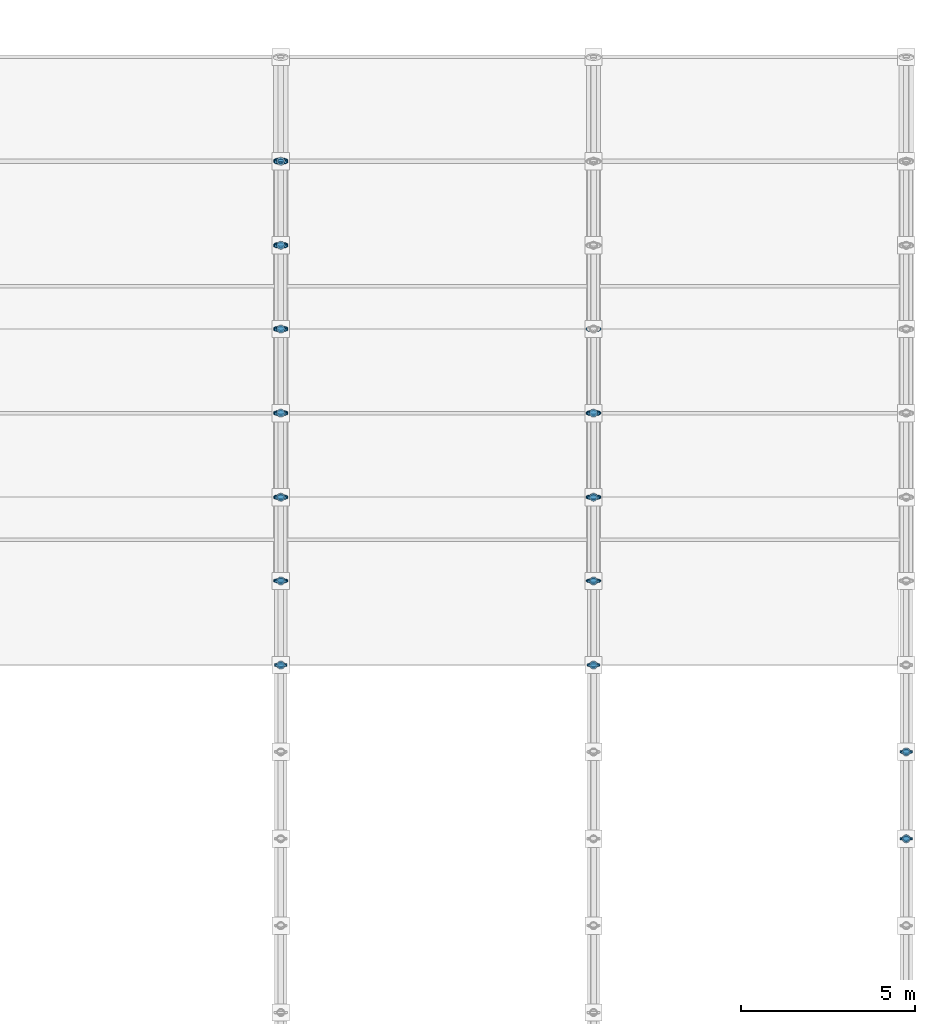
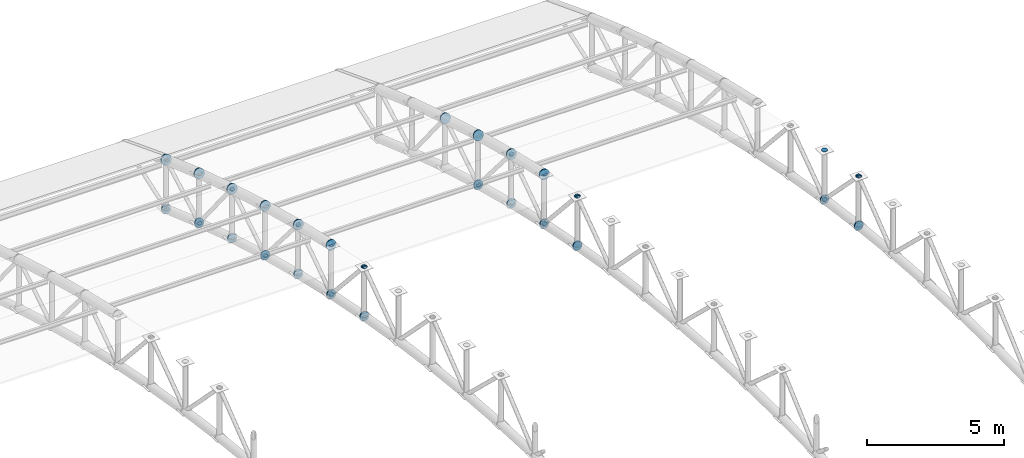
# One storey, part 164 of 195: 94 discrete accessories.
"""IFC4 building model written with IfcOpenShell, lengths in metres."""

import ifcopenshell
import ifcopenshell.guid

model = None  # the IFC model being written
_history = None  # IfcOwnerHistory: only IFC2X3 demands one
_inside = {}  # id of a spatial element -> (the spatial element, [elements in it])
_under = {}  # id of a project, library or spatial element -> (it, [spatial elements below it])
_declared = {}  # id of a project -> (the project, [libraries it declares])
_typed = {}  # id of a type object -> (the type object, [elements of that type])
_made_of = {}  # id of a material, layer set ... -> (it, [elements and type objects made of it])


def new_model(schema):
    """Start an empty IFC model of exactly this schema.

    Asked for "IFC4X3", IfcOpenShell would pick the latest addendum, in which some entities
    have other attributes; the version numbers below select the first issue.
    IFC2X3 requires an IfcOwnerHistory on every rooted entity: one is made here for all.
    """
    global model, _history
    if schema == "IFC4X3":
        model = ifcopenshell.file(schema_version=(4, 3, 0, 0))
    else:
        model = ifcopenshell.file(schema=schema)
    _inside.clear()
    _under.clear()
    _declared.clear()
    _typed.clear()
    _made_of.clear()
    _history = None
    if model.schema == "IFC2X3":
        org = make("IfcOrganization", Name="unknown")
        user = make(
            "IfcPersonAndOrganization",
            ThePerson=make("IfcPerson", FamilyName="unknown"),
            TheOrganization=org,
        )
        app = make(
            "IfcApplication",
            ApplicationDeveloper=org,
            Version="unknown",
            ApplicationFullName="unknown",
            ApplicationIdentifier="unknown",
        )
        _history = make(
            "IfcOwnerHistory",
            OwningUser=user,
            OwningApplication=app,
            ChangeAction="ADDED",
            CreationDate=0,
        )
    return model


def make(cls, **values):
    """One entity of the class cls with the attributes given. An attribute that is None is left unset."""
    return model.create_entity(
        cls, **{name: value for name, value in values.items() if value is not None}
    )


def rooted(cls, **values):
    """An entity with a GlobalId (a new one), such as an element, a storey or a relation."""
    return make(cls, GlobalId=ifcopenshell.guid.new(), OwnerHistory=_history, **values)


def si_unit(unit_type, name, prefix=None):
    """IfcSIUnit, for example si_unit("LENGTHUNIT", "METRE", prefix="MILLI")."""
    return make("IfcSIUnit", UnitType=unit_type, Prefix=prefix, Name=name)


def assignment(units):
    """IfcUnitAssignment: the units of a project."""
    return None if units is None else make("IfcUnitAssignment", Units=units)


def point(xyz):
    """IfcCartesianPoint."""
    return None if xyz is None else make("IfcCartesianPoint", Coordinates=xyz)


def direction(xyz):
    """IfcDirection."""
    return None if xyz is None else make("IfcDirection", DirectionRatios=xyz)


def frame(location, z_axis=None, x_axis=None):
    """IfcAxis2Placement3D, a coordinate frame: its origin and axes. An axis left out is left unset."""
    return make(
        "IfcAxis2Placement3D",
        Location=point(location),
        Axis=direction(z_axis),
        RefDirection=direction(x_axis),
    )


def frame_2d(location, x_axis=None):
    """IfcAxis2Placement2D, a coordinate frame in the plane: its origin and x axis."""
    return make(
        "IfcAxis2Placement2D", Location=point(location), RefDirection=direction(x_axis)
    )


def origin():
    """The frame at (0, 0, 0) with its axes left unset."""
    return frame((0.0, 0.0, 0.0))


def origin_2d():
    """The frame at (0, 0) in the plane with its x axis left unset."""
    return frame_2d((0.0, 0.0))


def place(relative_to, where):
    """IfcLocalPlacement: puts the frame where relative to a parent placement (None: the world)."""
    return make(
        "IfcLocalPlacement", PlacementRelTo=relative_to, RelativePlacement=where
    )


def context(
    kind, dimensions, precision=None, world=None, true_north=None, identifier=None
):
    """IfcGeometricRepresentationContext, for example the 3D "Model" context."""
    return make(
        "IfcGeometricRepresentationContext",
        ContextIdentifier=identifier,
        ContextType=kind,
        CoordinateSpaceDimension=dimensions,
        Precision=precision,
        WorldCoordinateSystem=world,
        TrueNorth=true_north,
    )


def subcontext(parent, identifier, kind, view, scale=None):
    """IfcGeometricRepresentationSubContext, for example "Body" below "Model"."""
    return make(
        "IfcGeometricRepresentationSubContext",
        ContextIdentifier=identifier,
        ContextType=kind,
        ParentContext=parent,
        TargetScale=scale,
        TargetView=view,
    )


def project(units=None, contexts=None):
    """IfcProject with its units and contexts."""
    return rooted(
        "IfcProject",
        Name="project",
        RepresentationContexts=contexts,
        UnitsInContext=assignment(units),
    )


def spatial(cls, under=None, at=None, **own):
    """A site, building, storey or space (cls), placed at a placement, below another one or the project."""
    s = rooted(cls, ObjectPlacement=at, **own)
    if under is not None:
        _under.setdefault(under.id(), (under, []))[1].append(s)
    return s


def profile(cls, at=None, kind="AREA", **sizes):
    """A parametric profile (cls). Its sizes go by their IFC names, for example OverallWidth=200.0."""
    return make(cls, ProfileType=kind, Position=at, **sizes)


def circle(**sizes):
    """IfcCircleProfileDef."""
    return profile("IfcCircleProfileDef", **sizes)


def extrude(swept, where, along, depth):
    """IfcExtrudedAreaSolid: the profile swept, set in the frame where, extruded along a direction by depth."""
    return make(
        "IfcExtrudedAreaSolid",
        SweptArea=swept,
        Position=where,
        ExtrudedDirection=direction(along),
        Depth=depth,
    )


def shape(context_of_items, identifier, shape_type, items):
    """IfcShapeRepresentation: the items that make up one representation, for example the "Body"."""
    return make(
        "IfcShapeRepresentation",
        ContextOfItems=context_of_items,
        RepresentationIdentifier=identifier,
        RepresentationType=shape_type,
        Items=items,
    )


def material(Name=None, Category=None):
    """IfcMaterial."""
    return make("IfcMaterial", Name=Name, Category=Category)


def made_of(thing, what):
    """Note that an element or type object is made of a material, layer set ...; save() writes the relation."""
    if what is not None:
        _made_of.setdefault(what.id(), (what, []))[1].append(thing)
    return thing


def element(
    cls,
    number,
    at=None,
    inside=None,
    cuts=None,
    type_object=None,
    material=None,
    context=None,
    identifier="Body",
    shape_type=None,
    held_by="IfcProductDefinitionShape",
    body=None,
    shapes=None,
    **own,
):
    """One element of the class cls, such as IfcWall. Its Tag is "e" and its number.

    at: its placement. inside: the storey or other place that contains it. cuts: it is an
    opening in that element (IfcRelVoidsElement). A single representation is given by context,
    identifier, shape_type and body (its items); several are given by shapes. held_by: the class
    of the entity that holds the representations. save() writes the other relations.
    """
    e = rooted(cls, Tag="e%d" % number, ObjectPlacement=at, **own)
    if body is not None:
        shapes = [shape(context, identifier, shape_type, body)]
    if shapes is not None:
        e.Representation = make(held_by, Representations=shapes)
    if inside is not None:
        _inside.setdefault(inside.id(), (inside, []))[1].append(e)
    if cuts is not None:
        rooted(
            "IfcRelVoidsElement", RelatingBuildingElement=cuts, RelatedOpeningElement=e
        )
    if type_object is not None:
        _typed.setdefault(type_object.id(), (type_object, []))[1].append(e)
    return made_of(e, material)


def aggregate(whole, parts):
    """IfcRelAggregates: a whole, such as a stair, and the parts it consists of."""
    return rooted("IfcRelAggregates", RelatingObject=whole, RelatedObjects=parts)


def save(model, path):
    """Write the relations noted so far, then the file.

    IfcRelAggregates (storeys below a building ...), IfcRelContainedInSpatialStructure (elements
    in a storey), IfcRelDefinesByType, IfcRelAssociatesMaterial and IfcRelDeclares: one each for
    every whole, place, type object, material and project.
    """
    for whole, parts in _under.values():
        aggregate(whole, parts)
    for where, things in _inside.values():
        rooted(
            "IfcRelContainedInSpatialStructure",
            RelatedElements=things,
            RelatingStructure=where,
        )
    for kind, things in _typed.values():
        rooted("IfcRelDefinesByType", RelatedObjects=things, RelatingType=kind)
    for what, things in _made_of.values():
        rooted("IfcRelAssociatesMaterial", RelatedObjects=things, RelatingMaterial=what)
    for by, libraries in _declared.values():
        rooted("IfcRelDeclares", RelatingContext=by, RelatedDefinitions=libraries)
    model.write(path)


model = new_model("IFC4")

# Units and contexts
model_context = context("Model", 3, precision=1e-05, world=origin(), true_north=direction((0.0, 1.0)))
body_context = subcontext(model_context, "Body", "Model", "MODEL_VIEW")
ifc_project = project(units=[si_unit("LENGTHUNIT", "METRE"), si_unit("AREAUNIT", "SQUARE_METRE"), si_unit("VOLUMEUNIT", "CUBIC_METRE"), si_unit("PLANEANGLEUNIT", "RADIAN"), si_unit("MASSUNIT", "GRAM", prefix="KILO")], contexts=[model_context])

# Site, building, storey
site_placement = place(None, origin())
site = spatial("IfcSite", under=ifc_project, at=site_placement, CompositionType="ELEMENT")
building_placement = place(site_placement, origin())
building = spatial("IfcBuilding", under=site, at=building_placement, Name="Marlcrest Central Station", CompositionType="ELEMENT")
storey_placement = place(building_placement, frame((0.0, 0.0, 9.800048828125)))
storey = spatial("IfcBuildingStorey", under=building, at=storey_placement, Name="L02", CompositionType="ELEMENT", Elevation=9.800048828125)

# Discrete accessories
ifc_material = material(Name="Steel S355", Category="steel")
discrete_accessory_1_placement = place(storey_placement, frame((198.0, 80.975341796875, 3.407958984375), z_axis=(0.0, 0.98574109921, -0.168269086076), x_axis=(-1.0, 0.0, 0.0)))
element("IfcDiscreteAccessory", 1, at=discrete_accessory_1_placement, inside=storey, material=ifc_material, Name="endcap-mem-AC-02-L02-01857-e", ObjectType="END_CAP_PLATE", PredefinedType="BRACKET", context=body_context, shape_type="SweptSolid", body=[
    extrude(circle(Radius=0.185791015625, at=origin_2d()), origin(), (0.0, 0.0, 1.0), 0.0400390625),
])
discrete_accessory_2_placement = place(storey_placement, frame((198.0, 80.9794921875, 5.58935546875), z_axis=(0.0, 0.815661132754, 0.57852996164), x_axis=(-1.0, 0.0, 0.0)))
element("IfcDiscreteAccessory", 2, at=discrete_accessory_2_placement, inside=storey, material=ifc_material, Name="endcap-mem-AD-01-L02-01859-e", ObjectType="END_CAP_PLATE", PredefinedType="BRACKET", context=body_context, shape_type="SweptSolid", body=[
    extrude(circle(Radius=0.092041015625, at=origin_2d()), origin(), (0.0, 0.0, 1.0), 0.0400390625),
])
for number, where, z_axis, x_axis, name in (
    (3, (198.0, 80.9853515625, 3.40673828125), (0.0, 0.980359417961, -0.197219196874), (-1.0, 0.0, 0.0), "endcap-mem-AC-02-L02-01861-s"),
    (4, (198.0, 83.3955078125, 2.921875), (0.0, 0.980359417961, -0.197219196874), (-1.0, 0.0, 0.0), "endcap-mem-AC-02-L02-01861-e"),
):
    element("IfcDiscreteAccessory", number, at=place(storey_placement, frame(where, z_axis=z_axis, x_axis=x_axis)), inside=storey, material=ifc_material, Name=name, ObjectType="END_CAP_PLATE", PredefinedType="BRACKET", context=body_context, shape_type="SweptSolid", body=[
        extrude(circle(Radius=0.185791015625, at=origin_2d()), origin(), (0.0, 0.0, 1.0), 0.0400390625),
    ])
for number, where, z_axis, x_axis, name in (
    (5, (198.0, 81.0, 3.388916015625), (0.0, 0.0, 1.0), (1.0, 0.0, 0.0), "endcap-mem-AP-01-L02-01862-s"),
    (6, (198.0, 81.0, 5.578857421875), (0.0, 0.0, 1.0), (1.0, 0.0, 0.0), "endcap-mem-AP-01-L02-01862-e"),
):
    element("IfcDiscreteAccessory", number, at=place(storey_placement, frame(where, z_axis=z_axis, x_axis=x_axis)), inside=storey, material=ifc_material, Name=name, ObjectType="END_CAP_PLATE", PredefinedType="BRACKET", context=body_context, shape_type="SweptSolid", body=[
        extrude(circle(Radius=0.117431640625, at=origin_2d()), origin(), (0.0, 0.0, 1.0), 0.0400390625),
    ])
for number, where, z_axis, x_axis, name in (
    (7, (198.0, 80.989990234375, 5.614990234375), (0.0, 0.669244457479, -0.743042297675), (-1.0, 0.0, 0.0), "endcap-mem-AD-01-L02-01863-s"),
    (8, (198.0, 83.403076171875, 2.935546875), (0.0, 0.669244457479, -0.743042297675), (-1.0, 0.0, 0.0), "endcap-mem-AD-01-L02-01863-e"),
):
    element("IfcDiscreteAccessory", number, at=place(storey_placement, frame(where, z_axis=z_axis, x_axis=x_axis)), inside=storey, material=ifc_material, Name=name, ObjectType="END_CAP_PLATE", PredefinedType="BRACKET", context=body_context, shape_type="SweptSolid", body=[
        extrude(circle(Radius=0.092041015625, at=origin_2d()), origin(), (0.0, 0.0, 1.0), 0.0400390625),
    ])
for number, where, z_axis, x_axis, name in (
    (9, (198.0, 83.4052734375, 5.120361328125), (0.0, 0.974329612642, -0.225126200004), (-1.0, 0.0, 0.0), "endcap-mem-AC-01-L02-01864-s"),
    (10, (198.0, 85.8056640625, 4.565673828125), (0.0, 0.974329612642, -0.225126200004), (-1.0, 0.0, 0.0), "endcap-mem-AC-01-L02-01864-e"),
):
    element("IfcDiscreteAccessory", number, at=place(storey_placement, frame(where, z_axis=z_axis, x_axis=x_axis)), inside=storey, material=ifc_material, Name=name, ObjectType="END_CAP_PLATE", PredefinedType="BRACKET", context=body_context, shape_type="SweptSolid", body=[
        extrude(circle(Radius=0.211181640625, at=origin_2d()), origin(), (0.0, 0.0, 1.0), 0.0400390625),
    ])
for number, where, z_axis, x_axis, name in (
    (11, (198.0, 83.4052734375, 2.92041015625), (0.0, 0.974307959875, -0.225219891049), (-1.0, 0.0, 0.0), "endcap-mem-AC-02-L02-01865-s"),
    (12, (198.0, 85.8056640625, 2.365478515625), (0.0, 0.974307959875, -0.225219891049), (-1.0, 0.0, 0.0), "endcap-mem-AC-02-L02-01865-e"),
):
    element("IfcDiscreteAccessory", number, at=place(storey_placement, frame(where, z_axis=z_axis, x_axis=x_axis)), inside=storey, material=ifc_material, Name=name, ObjectType="END_CAP_PLATE", PredefinedType="BRACKET", context=body_context, shape_type="SweptSolid", body=[
        extrude(circle(Radius=0.185791015625, at=origin_2d()), origin(), (0.0, 0.0, 1.0), 0.0400390625),
    ])
for number, where, z_axis, x_axis, name in (
    (13, (198.0, 83.419921875, 2.902099609375), (0.0, 0.0, 1.0), (1.0, 0.0, 0.0), "endcap-mem-AP-01-L02-01866-s"),
    (14, (198.0, 83.419921875, 5.092041015625), (0.0, 0.0, 1.0), (1.0, 0.0, 0.0), "endcap-mem-AP-01-L02-01866-e"),
):
    element("IfcDiscreteAccessory", number, at=place(storey_placement, frame(where, z_axis=z_axis, x_axis=x_axis)), inside=storey, material=ifc_material, Name=name, ObjectType="END_CAP_PLATE", PredefinedType="BRACKET", context=body_context, shape_type="SweptSolid", body=[
        extrude(circle(Radius=0.117431640625, at=origin_2d()), origin(), (0.0, 0.0, 1.0), 0.0400390625),
    ])
for number, where, z_axis, x_axis, name in (
    (15, (198.0, 83.407470703125, 2.908447265625), (0.0, 0.82626275624, 0.563284881432), (-1.0, 0.0, 0.0), "endcap-mem-AD-01-L02-01867-s"),
    (16, (198.0, 85.809326171875, 4.5458984375), (0.0, 0.82626275624, 0.563284881432), (-1.0, 0.0, 0.0), "endcap-mem-AD-01-L02-01867-e"),
):
    element("IfcDiscreteAccessory", number, at=place(storey_placement, frame(where, z_axis=z_axis, x_axis=x_axis)), inside=storey, material=ifc_material, Name=name, ObjectType="END_CAP_PLATE", PredefinedType="BRACKET", context=body_context, shape_type="SweptSolid", body=[
        extrude(circle(Radius=0.092041015625, at=origin_2d()), origin(), (0.0, 0.0, 1.0), 0.0400390625),
    ])
for number, where, z_axis, x_axis, name in (
    (17, (198.0, 85.815673828125, 4.56396484375), (0.0, 0.967539481681, -0.252719906989), (-1.0, 0.0, 0.0), "endcap-mem-AC-01-L02-01868-s"),
    (18, (198.0, 88.225830078125, 3.934326171875), (0.0, 0.967539481681, -0.252719906989), (-1.0, 0.0, 0.0), "endcap-mem-AC-01-L02-01868-e"),
):
    element("IfcDiscreteAccessory", number, at=place(storey_placement, frame(where, z_axis=z_axis, x_axis=x_axis)), inside=storey, material=ifc_material, Name=name, ObjectType="END_CAP_PLATE", PredefinedType="BRACKET", context=body_context, shape_type="SweptSolid", body=[
        extrude(circle(Radius=0.211181640625, at=origin_2d()), origin(), (0.0, 0.0, 1.0), 0.0400390625),
    ])
for number, where, z_axis, x_axis, name in (
    (19, (198.0, 85.815673828125, 2.36376953125), (0.0, 0.967563345928, -0.252628524946), (-1.0, 0.0, 0.0), "endcap-mem-AC-02-L02-01869-s"),
    (20, (198.0, 88.225830078125, 1.734375), (0.0, 0.967563345928, -0.252628524946), (-1.0, 0.0, 0.0), "endcap-mem-AC-02-L02-01869-e"),
):
    element("IfcDiscreteAccessory", number, at=place(storey_placement, frame(where, z_axis=z_axis, x_axis=x_axis)), inside=storey, material=ifc_material, Name=name, ObjectType="END_CAP_PLATE", PredefinedType="BRACKET", context=body_context, shape_type="SweptSolid", body=[
        extrude(circle(Radius=0.185791015625, at=origin_2d()), origin(), (0.0, 0.0, 1.0), 0.0400390625),
    ])
for number, where, z_axis, x_axis, name in (
    (21, (198.0, 85.830078125, 2.344970703125), (0.0, 0.0, 1.0), (1.0, 0.0, 0.0), "endcap-mem-AP-01-L02-01870-s"),
    (22, (198.0, 85.830078125, 4.53515625), (0.0, 0.0, 1.0), (1.0, 0.0, 0.0), "endcap-mem-AP-01-L02-01870-e"),
):
    element("IfcDiscreteAccessory", number, at=place(storey_placement, frame(where, z_axis=z_axis, x_axis=x_axis)), inside=storey, material=ifc_material, Name=name, ObjectType="END_CAP_PLATE", PredefinedType="BRACKET", context=body_context, shape_type="SweptSolid", body=[
        extrude(circle(Radius=0.117431640625, at=origin_2d()), origin(), (0.0, 0.0, 1.0), 0.0400390625),
    ])
for number, where, z_axis, x_axis, name in (
    (23, (198.0, 85.8203125, 4.571533203125), (0.0, 0.649624779144, -0.760254987699), (-1.0, 0.0, 0.0), "endcap-mem-AD-01-L02-01871-s"),
    (24, (198.0, 88.233642578125, 1.7470703125), (0.0, 0.649624779144, -0.760254987699), (-1.0, 0.0, 0.0), "endcap-mem-AD-01-L02-01871-e"),
):
    element("IfcDiscreteAccessory", number, at=place(storey_placement, frame(where, z_axis=z_axis, x_axis=x_axis)), inside=storey, material=ifc_material, Name=name, ObjectType="END_CAP_PLATE", PredefinedType="BRACKET", context=body_context, shape_type="SweptSolid", body=[
        extrude(circle(Radius=0.092041015625, at=origin_2d()), origin(), (0.0, 0.0, 1.0), 0.0400390625),
    ])
for number, where, z_axis, x_axis, name in (
    (25, (198.0, 88.235595703125, 3.93212890625), (0.0, 0.960130083362, -0.27955361386), (-1.0, 0.0, 0.0), "endcap-mem-AC-01-L02-01872-s"),
    (26, (198.0, 90.64599609375, 3.23046875), (0.0, 0.960130083362, -0.27955361386), (-1.0, 0.0, 0.0), "endcap-mem-AC-01-L02-01872-e"),
):
    element("IfcDiscreteAccessory", number, at=place(storey_placement, frame(where, z_axis=z_axis, x_axis=x_axis)), inside=storey, material=ifc_material, Name=name, ObjectType="END_CAP_PLATE", PredefinedType="BRACKET", context=body_context, shape_type="SweptSolid", body=[
        extrude(circle(Radius=0.211181640625, at=origin_2d()), origin(), (0.0, 0.0, 1.0), 0.0400390625),
    ])
for number, where, z_axis, x_axis, name in (
    (27, (198.0, 88.235595703125, 1.732177734375), (0.0, 0.960130083362, -0.27955361386), (-1.0, 0.0, 0.0), "endcap-mem-AC-02-L02-01873-s"),
    (28, (198.0, 90.64599609375, 1.030517578125), (0.0, 0.960130083362, -0.27955361386), (-1.0, 0.0, 0.0), "endcap-mem-AC-02-L02-01873-e"),
):
    element("IfcDiscreteAccessory", number, at=place(storey_placement, frame(where, z_axis=z_axis, x_axis=x_axis)), inside=storey, material=ifc_material, Name=name, ObjectType="END_CAP_PLATE", PredefinedType="BRACKET", context=body_context, shape_type="SweptSolid", body=[
        extrude(circle(Radius=0.185791015625, at=origin_2d()), origin(), (0.0, 0.0, 1.0), 0.0400390625),
    ])
for number, where, z_axis, x_axis, name in (
    (29, (198.0, 88.25, 1.713134765625), (0.0, 0.0, 1.0), (1.0, 0.0, 0.0), "endcap-mem-AP-01-L02-01874-s"),
    (30, (198.0, 88.25, 3.903076171875), (0.0, 0.0, 1.0), (1.0, 0.0, 0.0), "endcap-mem-AP-01-L02-01874-e"),
):
    element("IfcDiscreteAccessory", number, at=place(storey_placement, frame(where, z_axis=z_axis, x_axis=x_axis)), inside=storey, material=ifc_material, Name=name, ObjectType="END_CAP_PLATE", PredefinedType="BRACKET", context=body_context, shape_type="SweptSolid", body=[
        extrude(circle(Radius=0.117431640625, at=origin_2d()), origin(), (0.0, 0.0, 1.0), 0.0400390625),
    ])
for number, where, z_axis, x_axis, name in (
    (31, (198.0, 88.2373046875, 1.72021484375), (0.0, 0.850687380038, 0.525671933286), (-1.0, 0.0, 0.0), "endcap-mem-AD-01-L02-01875-s"),
    (32, (198.0, 90.648681640625, 3.210205078125), (0.0, 0.850687380038, 0.525671933286), (-1.0, 0.0, 0.0), "endcap-mem-AD-01-L02-01875-e"),
):
    element("IfcDiscreteAccessory", number, at=place(storey_placement, frame(where, z_axis=z_axis, x_axis=x_axis)), inside=storey, material=ifc_material, Name=name, ObjectType="END_CAP_PLATE", PredefinedType="BRACKET", context=body_context, shape_type="SweptSolid", body=[
        extrude(circle(Radius=0.092041015625, at=origin_2d()), origin(), (0.0, 0.0, 1.0), 0.0400390625),
    ])
for number, where, z_axis, x_axis, name in (
    (33, (198.0, 90.65576171875, 3.22802734375), (0.0, 0.952116828449, -0.305734435391), (-1.0, 0.0, 0.0), "endcap-mem-AC-01-L02-01876-s"),
    (34, (198.0, 93.056396484375, 2.45703125), (0.0, 0.952116828449, -0.305734435391), (-1.0, 0.0, 0.0), "endcap-mem-AC-01-L02-01876-e"),
):
    element("IfcDiscreteAccessory", number, at=place(storey_placement, frame(where, z_axis=z_axis, x_axis=x_axis)), inside=storey, material=ifc_material, Name=name, ObjectType="END_CAP_PLATE", PredefinedType="BRACKET", context=body_context, shape_type="SweptSolid", body=[
        extrude(circle(Radius=0.211181640625, at=origin_2d()), origin(), (0.0, 0.0, 1.0), 0.0400390625),
    ])
for number, where, z_axis, x_axis, name in (
    (35, (198.0, 90.65576171875, 1.028076171875), (0.0, 0.952116828449, -0.305734435391), (-1.0, 0.0, 0.0), "endcap-mem-AC-02-L02-01877-s"),
    (36, (198.0, 93.056396484375, 0.257080078125), (0.0, 0.952116828449, -0.305734435391), (-1.0, 0.0, 0.0), "endcap-mem-AC-02-L02-01877-e"),
):
    element("IfcDiscreteAccessory", number, at=place(storey_placement, frame(where, z_axis=z_axis, x_axis=x_axis)), inside=storey, material=ifc_material, Name=name, ObjectType="END_CAP_PLATE", PredefinedType="BRACKET", context=body_context, shape_type="SweptSolid", body=[
        extrude(circle(Radius=0.185791015625, at=origin_2d()), origin(), (0.0, 0.0, 1.0), 0.0400390625),
    ])
for number, where, z_axis, x_axis, name in (
    (37, (198.0, 90.669921875, 1.008544921875), (0.0, 0.0, 1.0), (1.0, 0.0, 0.0), "endcap-mem-AP-01-L02-01878-s"),
    (38, (198.0, 90.669921875, 3.198486328125), (0.0, 0.0, 1.0), (1.0, 0.0, 0.0), "endcap-mem-AP-01-L02-01878-e"),
):
    element("IfcDiscreteAccessory", number, at=place(storey_placement, frame(where, z_axis=z_axis, x_axis=x_axis)), inside=storey, material=ifc_material, Name=name, ObjectType="END_CAP_PLATE", PredefinedType="BRACKET", context=body_context, shape_type="SweptSolid", body=[
        extrude(circle(Radius=0.117431640625, at=origin_2d()), origin(), (0.0, 0.0, 1.0), 0.0400390625),
    ])
for number, where, z_axis, x_axis, name in (
    (39, (198.0, 90.660400390625, 3.235107421875), (0.0, 0.62962929743, -0.776895712318), (-1.0, 0.0, 0.0), "endcap-mem-AD-01-L02-01879-s"),
    (40, (198.0, 93.064453125, 0.26904296875), (0.0, 0.62962929743, -0.776895712318), (-1.0, 0.0, 0.0), "endcap-mem-AD-01-L02-01879-e"),
):
    element("IfcDiscreteAccessory", number, at=place(storey_placement, frame(where, z_axis=z_axis, x_axis=x_axis)), inside=storey, material=ifc_material, Name=name, ObjectType="END_CAP_PLATE", PredefinedType="BRACKET", context=body_context, shape_type="SweptSolid", body=[
        extrude(circle(Radius=0.092041015625, at=origin_2d()), origin(), (0.0, 0.0, 1.0), 0.0400390625),
    ])
for number, where, z_axis, x_axis, name in (
    (41, (198.0, 93.06591796875, 2.454345703125), (0.0, 0.94353735649, -0.331266142109), (-1.0, 0.0, 0.0), "endcap-mem-AC-01-L02-01880-s"),
    (42, (198.0, 95.476318359375, 1.608154296875), (0.0, 0.94353735649, -0.331266142109), (-1.0, 0.0, 0.0), "endcap-mem-AC-01-L02-01880-e"),
):
    element("IfcDiscreteAccessory", number, at=place(storey_placement, frame(where, z_axis=z_axis, x_axis=x_axis)), inside=storey, material=ifc_material, Name=name, ObjectType="END_CAP_PLATE", PredefinedType="BRACKET", context=body_context, shape_type="SweptSolid", body=[
        extrude(circle(Radius=0.211181640625, at=origin_2d()), origin(), (0.0, 0.0, 1.0), 0.0400390625),
    ])
for number, where, z_axis, x_axis, name in (
    (43, (198.0, 93.06591796875, 0.25439453125), (0.0, 0.94353735649, -0.331266142109), (-1.0, 0.0, 0.0), "endcap-mem-AC-02-L02-01881-s"),
    (44, (198.0, 95.476318359375, -0.591796875), (0.0, 0.94353735649, -0.331266142109), (-1.0, 0.0, 0.0), "endcap-mem-AC-02-L02-01881-e"),
):
    element("IfcDiscreteAccessory", number, at=place(storey_placement, frame(where, z_axis=z_axis, x_axis=x_axis)), inside=storey, material=ifc_material, Name=name, ObjectType="END_CAP_PLATE", PredefinedType="BRACKET", context=body_context, shape_type="SweptSolid", body=[
        extrude(circle(Radius=0.185791015625, at=origin_2d()), origin(), (0.0, 0.0, 1.0), 0.0400390625),
    ])
for number, where, z_axis, x_axis, name in (
    (45, (198.0, 93.080078125, 0.234619140625), (0.0, 0.0, 1.0), (1.0, 0.0, 0.0), "endcap-mem-AP-01-L02-01882-s"),
    (46, (198.0, 93.080078125, 2.424560546875), (0.0, 0.0, 1.0), (1.0, 0.0, 0.0), "endcap-mem-AP-01-L02-01882-e"),
):
    element("IfcDiscreteAccessory", number, at=place(storey_placement, frame(where, z_axis=z_axis, x_axis=x_axis)), inside=storey, material=ifc_material, Name=name, ObjectType="END_CAP_PLATE", PredefinedType="BRACKET", context=body_context, shape_type="SweptSolid", body=[
        extrude(circle(Radius=0.117431640625, at=origin_2d()), origin(), (0.0, 0.0, 1.0), 0.0400390625),
    ])
for number, where, z_axis, x_axis, name in (
    (47, (198.0, 93.06689453125, 0.2421875), (0.0, 0.873245653167, 0.487280236851), (-1.0, 0.0, 0.0), "endcap-mem-AD-01-L02-01883-s"),
    (48, (198.0, 95.478271484375, 1.587646484375), (0.0, 0.873245653167, 0.487280236851), (-1.0, 0.0, 0.0), "endcap-mem-AD-01-L02-01883-e"),
):
    element("IfcDiscreteAccessory", number, at=place(storey_placement, frame(where, z_axis=z_axis, x_axis=x_axis)), inside=storey, material=ifc_material, Name=name, ObjectType="END_CAP_PLATE", PredefinedType="BRACKET", context=body_context, shape_type="SweptSolid", body=[
        extrude(circle(Radius=0.092041015625, at=origin_2d()), origin(), (0.0, 0.0, 1.0), 0.0400390625),
    ])
discrete_accessory_3_placement = place(storey_placement, frame((198.0, 95.486083984375, 1.605224609375), z_axis=(0.0, 0.933324071143, -0.359035065453), x_axis=(-1.0, 0.0, 0.0)))
element("IfcDiscreteAccessory", 49, at=discrete_accessory_3_placement, inside=storey, material=ifc_material, Name="endcap-mem-AC-01-L02-01884-s", ObjectType="END_CAP_PLATE", PredefinedType="BRACKET", context=body_context, shape_type="SweptSolid", body=[
    extrude(circle(Radius=0.211181640625, at=origin_2d()), origin(), (0.0, 0.0, 1.0), 0.0400390625),
])
for number, where, z_axis, x_axis, name in (
    (50, (198.0, 95.5, -0.614990234375), (0.0, 0.0, 1.0), (1.0, 0.0, 0.0), "endcap-mem-AP-01-L02-01885-s"),
    (51, (198.0, 95.5, 1.574951171875), (0.0, 0.0, 1.0), (1.0, 0.0, 0.0), "endcap-mem-AP-01-L02-01885-e"),
):
    element("IfcDiscreteAccessory", number, at=place(storey_placement, frame(where, z_axis=z_axis, x_axis=x_axis)), inside=storey, material=ifc_material, Name=name, ObjectType="END_CAP_PLATE", PredefinedType="BRACKET", context=body_context, shape_type="SweptSolid", body=[
        extrude(circle(Radius=0.117431640625, at=origin_2d()), origin(), (0.0, 0.0, 1.0), 0.0400390625),
    ])
discrete_accessory_4_placement = place(storey_placement, frame((198.0, 95.48583984375, -0.60498046875), z_axis=(0.0, 0.944260188635, 0.329200085296), x_axis=(-1.0, 0.0, 0.0)))
element("IfcDiscreteAccessory", 52, at=discrete_accessory_4_placement, inside=storey, material=ifc_material, Name="endcap-mem-AD-01-L02-01886-s", ObjectType="END_CAP_PLATE", PredefinedType="BRACKET", context=body_context, shape_type="SweptSolid", body=[
    extrude(circle(Radius=0.092041015625, at=origin_2d()), origin(), (0.0, 0.0, 1.0), 0.0400390625),
])
discrete_accessory_5_placement = place(storey_placement, frame((207.0, 80.975341796875, 3.407958984375), z_axis=(0.0, 0.98574109921, -0.168269086076), x_axis=(-1.0, 0.0, 0.0)))
element("IfcDiscreteAccessory", 53, at=discrete_accessory_5_placement, inside=storey, material=ifc_material, Name="endcap-mem-AC-02-L02-01973-e", ObjectType="END_CAP_PLATE", PredefinedType="BRACKET", context=body_context, shape_type="SweptSolid", body=[
    extrude(circle(Radius=0.185791015625, at=origin_2d()), origin(), (0.0, 0.0, 1.0), 0.0400390625),
])
discrete_accessory_6_placement = place(storey_placement, frame((207.0, 80.9794921875, 5.58935546875), z_axis=(0.0, 0.815661132754, 0.57852996164), x_axis=(-1.0, 0.0, 0.0)))
element("IfcDiscreteAccessory", 54, at=discrete_accessory_6_placement, inside=storey, material=ifc_material, Name="endcap-mem-AD-01-L02-01975-e", ObjectType="END_CAP_PLATE", PredefinedType="BRACKET", context=body_context, shape_type="SweptSolid", body=[
    extrude(circle(Radius=0.092041015625, at=origin_2d()), origin(), (0.0, 0.0, 1.0), 0.0400390625),
])
for number, where, z_axis, x_axis, name in (
    (55, (207.0, 80.9853515625, 3.40673828125), (0.0, 0.980359417961, -0.197219196874), (-1.0, 0.0, 0.0), "endcap-mem-AC-02-L02-01977-s"),
    (56, (207.0, 83.3955078125, 2.921875), (0.0, 0.980359417961, -0.197219196874), (-1.0, 0.0, 0.0), "endcap-mem-AC-02-L02-01977-e"),
):
    element("IfcDiscreteAccessory", number, at=place(storey_placement, frame(where, z_axis=z_axis, x_axis=x_axis)), inside=storey, material=ifc_material, Name=name, ObjectType="END_CAP_PLATE", PredefinedType="BRACKET", context=body_context, shape_type="SweptSolid", body=[
        extrude(circle(Radius=0.185791015625, at=origin_2d()), origin(), (0.0, 0.0, 1.0), 0.0400390625),
    ])
for number, where, z_axis, x_axis, name in (
    (57, (207.0, 81.0, 3.388916015625), (0.0, 0.0, 1.0), (1.0, 0.0, 0.0), "endcap-mem-AP-01-L02-01978-s"),
    (58, (207.0, 81.0, 5.578857421875), (0.0, 0.0, 1.0), (1.0, 0.0, 0.0), "endcap-mem-AP-01-L02-01978-e"),
):
    element("IfcDiscreteAccessory", number, at=place(storey_placement, frame(where, z_axis=z_axis, x_axis=x_axis)), inside=storey, material=ifc_material, Name=name, ObjectType="END_CAP_PLATE", PredefinedType="BRACKET", context=body_context, shape_type="SweptSolid", body=[
        extrude(circle(Radius=0.117431640625, at=origin_2d()), origin(), (0.0, 0.0, 1.0), 0.0400390625),
    ])
for number, where, z_axis, x_axis, name in (
    (59, (207.0, 80.989990234375, 5.614990234375), (0.0, 0.669244457479, -0.743042297675), (-1.0, 0.0, 0.0), "endcap-mem-AD-01-L02-01979-s"),
    (60, (207.0, 83.403076171875, 2.935546875), (0.0, 0.669244457479, -0.743042297675), (-1.0, 0.0, 0.0), "endcap-mem-AD-01-L02-01979-e"),
):
    element("IfcDiscreteAccessory", number, at=place(storey_placement, frame(where, z_axis=z_axis, x_axis=x_axis)), inside=storey, material=ifc_material, Name=name, ObjectType="END_CAP_PLATE", PredefinedType="BRACKET", context=body_context, shape_type="SweptSolid", body=[
        extrude(circle(Radius=0.092041015625, at=origin_2d()), origin(), (0.0, 0.0, 1.0), 0.0400390625),
    ])
for number, where, z_axis, x_axis, name in (
    (61, (207.0, 83.4052734375, 5.120361328125), (0.0, 0.974329612642, -0.225126200004), (-1.0, 0.0, 0.0), "endcap-mem-AC-01-L02-01980-s"),
    (62, (207.0, 85.8056640625, 4.565673828125), (0.0, 0.974329612642, -0.225126200004), (-1.0, 0.0, 0.0), "endcap-mem-AC-01-L02-01980-e"),
):
    element("IfcDiscreteAccessory", number, at=place(storey_placement, frame(where, z_axis=z_axis, x_axis=x_axis)), inside=storey, material=ifc_material, Name=name, ObjectType="END_CAP_PLATE", PredefinedType="BRACKET", context=body_context, shape_type="SweptSolid", body=[
        extrude(circle(Radius=0.211181640625, at=origin_2d()), origin(), (0.0, 0.0, 1.0), 0.0400390625),
    ])
for number, where, z_axis, x_axis, name in (
    (63, (207.0, 83.4052734375, 2.92041015625), (0.0, 0.974307959875, -0.225219891049), (-1.0, 0.0, 0.0), "endcap-mem-AC-02-L02-01981-s"),
    (64, (207.0, 85.8056640625, 2.365478515625), (0.0, 0.974307959875, -0.225219891049), (-1.0, 0.0, 0.0), "endcap-mem-AC-02-L02-01981-e"),
):
    element("IfcDiscreteAccessory", number, at=place(storey_placement, frame(where, z_axis=z_axis, x_axis=x_axis)), inside=storey, material=ifc_material, Name=name, ObjectType="END_CAP_PLATE", PredefinedType="BRACKET", context=body_context, shape_type="SweptSolid", body=[
        extrude(circle(Radius=0.185791015625, at=origin_2d()), origin(), (0.0, 0.0, 1.0), 0.0400390625),
    ])
for number, where, z_axis, x_axis, name in (
    (65, (207.0, 83.419921875, 2.902099609375), (0.0, 0.0, 1.0), (1.0, 0.0, 0.0), "endcap-mem-AP-01-L02-01982-s"),
    (66, (207.0, 83.419921875, 5.092041015625), (0.0, 0.0, 1.0), (1.0, 0.0, 0.0), "endcap-mem-AP-01-L02-01982-e"),
):
    element("IfcDiscreteAccessory", number, at=place(storey_placement, frame(where, z_axis=z_axis, x_axis=x_axis)), inside=storey, material=ifc_material, Name=name, ObjectType="END_CAP_PLATE", PredefinedType="BRACKET", context=body_context, shape_type="SweptSolid", body=[
        extrude(circle(Radius=0.117431640625, at=origin_2d()), origin(), (0.0, 0.0, 1.0), 0.0400390625),
    ])
for number, where, z_axis, x_axis, name in (
    (67, (207.0, 83.407470703125, 2.908447265625), (0.0, 0.82626275624, 0.563284881432), (-1.0, 0.0, 0.0), "endcap-mem-AD-01-L02-01983-s"),
    (68, (207.0, 85.809326171875, 4.5458984375), (0.0, 0.82626275624, 0.563284881432), (-1.0, 0.0, 0.0), "endcap-mem-AD-01-L02-01983-e"),
):
    element("IfcDiscreteAccessory", number, at=place(storey_placement, frame(where, z_axis=z_axis, x_axis=x_axis)), inside=storey, material=ifc_material, Name=name, ObjectType="END_CAP_PLATE", PredefinedType="BRACKET", context=body_context, shape_type="SweptSolid", body=[
        extrude(circle(Radius=0.092041015625, at=origin_2d()), origin(), (0.0, 0.0, 1.0), 0.0400390625),
    ])
for number, where, z_axis, x_axis, name in (
    (69, (207.0, 85.815673828125, 4.56396484375), (0.0, 0.967539481681, -0.252719906989), (-1.0, 0.0, 0.0), "endcap-mem-AC-01-L02-01984-s"),
    (70, (207.0, 88.225830078125, 3.934326171875), (0.0, 0.967539481681, -0.252719906989), (-1.0, 0.0, 0.0), "endcap-mem-AC-01-L02-01984-e"),
):
    element("IfcDiscreteAccessory", number, at=place(storey_placement, frame(where, z_axis=z_axis, x_axis=x_axis)), inside=storey, material=ifc_material, Name=name, ObjectType="END_CAP_PLATE", PredefinedType="BRACKET", context=body_context, shape_type="SweptSolid", body=[
        extrude(circle(Radius=0.211181640625, at=origin_2d()), origin(), (0.0, 0.0, 1.0), 0.0400390625),
    ])
for number, where, z_axis, x_axis, name in (
    (71, (207.0, 85.815673828125, 2.36376953125), (0.0, 0.967563345928, -0.252628524946), (-1.0, 0.0, 0.0), "endcap-mem-AC-02-L02-01985-s"),
    (72, (207.0, 88.225830078125, 1.734375), (0.0, 0.967563345928, -0.252628524946), (-1.0, 0.0, 0.0), "endcap-mem-AC-02-L02-01985-e"),
):
    element("IfcDiscreteAccessory", number, at=place(storey_placement, frame(where, z_axis=z_axis, x_axis=x_axis)), inside=storey, material=ifc_material, Name=name, ObjectType="END_CAP_PLATE", PredefinedType="BRACKET", context=body_context, shape_type="SweptSolid", body=[
        extrude(circle(Radius=0.185791015625, at=origin_2d()), origin(), (0.0, 0.0, 1.0), 0.0400390625),
    ])
for number, where, z_axis, x_axis, name in (
    (73, (207.0, 85.830078125, 2.344970703125), (0.0, 0.0, 1.0), (1.0, 0.0, 0.0), "endcap-mem-AP-01-L02-01986-s"),
    (74, (207.0, 85.830078125, 4.53515625), (0.0, 0.0, 1.0), (1.0, 0.0, 0.0), "endcap-mem-AP-01-L02-01986-e"),
):
    element("IfcDiscreteAccessory", number, at=place(storey_placement, frame(where, z_axis=z_axis, x_axis=x_axis)), inside=storey, material=ifc_material, Name=name, ObjectType="END_CAP_PLATE", PredefinedType="BRACKET", context=body_context, shape_type="SweptSolid", body=[
        extrude(circle(Radius=0.117431640625, at=origin_2d()), origin(), (0.0, 0.0, 1.0), 0.0400390625),
    ])
for number, where, z_axis, x_axis, name in (
    (75, (207.0, 85.8203125, 4.571533203125), (0.0, 0.649624779144, -0.760254987699), (-1.0, 0.0, 0.0), "endcap-mem-AD-01-L02-01987-s"),
    (76, (207.0, 88.233642578125, 1.7470703125), (0.0, 0.649624779144, -0.760254987699), (-1.0, 0.0, 0.0), "endcap-mem-AD-01-L02-01987-e"),
):
    element("IfcDiscreteAccessory", number, at=place(storey_placement, frame(where, z_axis=z_axis, x_axis=x_axis)), inside=storey, material=ifc_material, Name=name, ObjectType="END_CAP_PLATE", PredefinedType="BRACKET", context=body_context, shape_type="SweptSolid", body=[
        extrude(circle(Radius=0.092041015625, at=origin_2d()), origin(), (0.0, 0.0, 1.0), 0.0400390625),
    ])
for number, where, z_axis, x_axis, name in (
    (77, (207.0, 88.235595703125, 3.93212890625), (0.0, 0.960130083362, -0.27955361386), (-1.0, 0.0, 0.0), "endcap-mem-AC-01-L02-01988-s"),
    (78, (207.0, 90.64599609375, 3.23046875), (0.0, 0.960130083362, -0.27955361386), (-1.0, 0.0, 0.0), "endcap-mem-AC-01-L02-01988-e"),
):
    element("IfcDiscreteAccessory", number, at=place(storey_placement, frame(where, z_axis=z_axis, x_axis=x_axis)), inside=storey, material=ifc_material, Name=name, ObjectType="END_CAP_PLATE", PredefinedType="BRACKET", context=body_context, shape_type="SweptSolid", body=[
        extrude(circle(Radius=0.211181640625, at=origin_2d()), origin(), (0.0, 0.0, 1.0), 0.0400390625),
    ])
discrete_accessory_7_placement = place(storey_placement, frame((207.0, 88.235595703125, 1.732177734375), z_axis=(0.0, 0.960130083362, -0.27955361386), x_axis=(-1.0, 0.0, 0.0)))
element("IfcDiscreteAccessory", 79, at=discrete_accessory_7_placement, inside=storey, material=ifc_material, Name="endcap-mem-AC-02-L02-01989-s", ObjectType="END_CAP_PLATE", PredefinedType="BRACKET", context=body_context, shape_type="SweptSolid", body=[
    extrude(circle(Radius=0.185791015625, at=origin_2d()), origin(), (0.0, 0.0, 1.0), 0.0400390625),
])
for number, where, z_axis, x_axis, name in (
    (80, (207.0, 88.25, 1.713134765625), (0.0, 0.0, 1.0), (1.0, 0.0, 0.0), "endcap-mem-AP-01-L02-01990-s"),
    (81, (207.0, 88.25, 3.903076171875), (0.0, 0.0, 1.0), (1.0, 0.0, 0.0), "endcap-mem-AP-01-L02-01990-e"),
):
    element("IfcDiscreteAccessory", number, at=place(storey_placement, frame(where, z_axis=z_axis, x_axis=x_axis)), inside=storey, material=ifc_material, Name=name, ObjectType="END_CAP_PLATE", PredefinedType="BRACKET", context=body_context, shape_type="SweptSolid", body=[
        extrude(circle(Radius=0.117431640625, at=origin_2d()), origin(), (0.0, 0.0, 1.0), 0.0400390625),
    ])
discrete_accessory_8_placement = place(storey_placement, frame((207.0, 88.2373046875, 1.72021484375), z_axis=(0.0, 0.850687380038, 0.525671933286), x_axis=(-1.0, 0.0, 0.0)))
element("IfcDiscreteAccessory", 82, at=discrete_accessory_8_placement, inside=storey, material=ifc_material, Name="endcap-mem-AD-01-L02-01991-s", ObjectType="END_CAP_PLATE", PredefinedType="BRACKET", context=body_context, shape_type="SweptSolid", body=[
    extrude(circle(Radius=0.092041015625, at=origin_2d()), origin(), (0.0, 0.0, 1.0), 0.0400390625),
])
discrete_accessory_9_placement = place(storey_placement, frame((216.0, 75.97509765625, 4.18212890625), z_axis=(0.0, 0.994155341034, -0.107959056565), x_axis=(-1.0, 0.0, 0.0)))
element("IfcDiscreteAccessory", 83, at=discrete_accessory_9_placement, inside=storey, material=ifc_material, Name="endcap-mem-AC-02-L02-02081-e", ObjectType="END_CAP_PLATE", PredefinedType="BRACKET", context=body_context, shape_type="SweptSolid", body=[
    extrude(circle(Radius=0.185791015625, at=origin_2d()), origin(), (0.0, 0.0, 1.0), 0.0400390625),
])
discrete_accessory_10_placement = place(storey_placement, frame((216.0, 75.980224609375, 6.364013671875), z_axis=(0.0, 0.791798282026, 0.610782678684), x_axis=(-1.0, 0.0, 0.0)))
element("IfcDiscreteAccessory", 84, at=discrete_accessory_10_placement, inside=storey, material=ifc_material, Name="endcap-mem-AD-01-L02-02083-e", ObjectType="END_CAP_PLATE", PredefinedType="BRACKET", context=body_context, shape_type="SweptSolid", body=[
    extrude(circle(Radius=0.092041015625, at=origin_2d()), origin(), (0.0, 0.0, 1.0), 0.0400390625),
])
for number, where, z_axis, x_axis, name in (
    (85, (216.0, 75.985107421875, 4.181396484375), (0.0, 0.990402740232, -0.138211476152), (-1.0, 0.0, 0.0), "endcap-mem-AC-02-L02-02085-s"),
    (86, (216.0, 78.475341796875, 3.833984375), (0.0, 0.990402740232, -0.138211476152), (-1.0, 0.0, 0.0), "endcap-mem-AC-02-L02-02085-e"),
):
    element("IfcDiscreteAccessory", number, at=place(storey_placement, frame(where, z_axis=z_axis, x_axis=x_axis)), inside=storey, material=ifc_material, Name=name, ObjectType="END_CAP_PLATE", PredefinedType="BRACKET", context=body_context, shape_type="SweptSolid", body=[
        extrude(circle(Radius=0.185791015625, at=origin_2d()), origin(), (0.0, 0.0, 1.0), 0.0400390625),
    ])
for number, where, z_axis, x_axis, name in (
    (87, (216.0, 76.0, 4.16455078125), (0.0, 0.0, 1.0), (1.0, 0.0, 0.0), "endcap-mem-AP-01-L02-02086-s"),
    (88, (216.0, 76.0, 6.3544921875), (0.0, 0.0, 1.0), (1.0, 0.0, 0.0), "endcap-mem-AP-01-L02-02086-e"),
):
    element("IfcDiscreteAccessory", number, at=place(storey_placement, frame(where, z_axis=z_axis, x_axis=x_axis)), inside=storey, material=ifc_material, Name=name, ObjectType="END_CAP_PLATE", PredefinedType="BRACKET", context=body_context, shape_type="SweptSolid", body=[
        extrude(circle(Radius=0.117431640625, at=origin_2d()), origin(), (0.0, 0.0, 1.0), 0.0400390625),
    ])
for number, where, z_axis, x_axis, name in (
    (89, (216.0, 75.989501953125, 6.39013671875), (0.0, 0.70023547796, -0.713911952139), (-1.0, 0.0, 0.0), "endcap-mem-AD-01-L02-02087-s"),
    (90, (216.0, 78.482421875, 3.848388671875), (0.0, 0.70023547796, -0.713911952139), (-1.0, 0.0, 0.0), "endcap-mem-AD-01-L02-02087-e"),
):
    element("IfcDiscreteAccessory", number, at=place(storey_placement, frame(where, z_axis=z_axis, x_axis=x_axis)), inside=storey, material=ifc_material, Name=name, ObjectType="END_CAP_PLATE", PredefinedType="BRACKET", context=body_context, shape_type="SweptSolid", body=[
        extrude(circle(Radius=0.092041015625, at=origin_2d()), origin(), (0.0, 0.0, 1.0), 0.0400390625),
    ])
discrete_accessory_11_placement = place(storey_placement, frame((216.0, 78.485107421875, 3.8330078125), z_axis=(0.0, 0.98574109921, -0.168269086076), x_axis=(-1.0, 0.0, 0.0)))
element("IfcDiscreteAccessory", 91, at=discrete_accessory_11_placement, inside=storey, material=ifc_material, Name="endcap-mem-AC-02-L02-02089-s", ObjectType="END_CAP_PLATE", PredefinedType="BRACKET", context=body_context, shape_type="SweptSolid", body=[
    extrude(circle(Radius=0.185791015625, at=origin_2d()), origin(), (0.0, 0.0, 1.0), 0.0400390625),
])
for number, where, z_axis, x_axis, name in (
    (92, (216.0, 78.5, 3.815673828125), (0.0, 0.0, 1.0), (1.0, 0.0, 0.0), "endcap-mem-AP-01-L02-02090-s"),
    (93, (216.0, 78.5, 6.005615234375), (0.0, 0.0, 1.0), (1.0, 0.0, 0.0), "endcap-mem-AP-01-L02-02090-e"),
):
    element("IfcDiscreteAccessory", number, at=place(storey_placement, frame(where, z_axis=z_axis, x_axis=x_axis)), inside=storey, material=ifc_material, Name=name, ObjectType="END_CAP_PLATE", PredefinedType="BRACKET", context=body_context, shape_type="SweptSolid", body=[
        extrude(circle(Radius=0.117431640625, at=origin_2d()), origin(), (0.0, 0.0, 1.0), 0.0400390625),
    ])
discrete_accessory_12_placement = place(storey_placement, frame((216.0, 78.48779296875, 3.82177734375), z_axis=(0.0, 0.815661132754, 0.57852996164), x_axis=(-1.0, 0.0, 0.0)))
element("IfcDiscreteAccessory", 94, at=discrete_accessory_12_placement, inside=storey, material=ifc_material, Name="endcap-mem-AD-01-L02-02091-s", ObjectType="END_CAP_PLATE", PredefinedType="BRACKET", context=body_context, shape_type="SweptSolid", body=[
    extrude(circle(Radius=0.092041015625, at=origin_2d()), origin(), (0.0, 0.0, 1.0), 0.0400390625),
])

save(model, "model.ifc")
